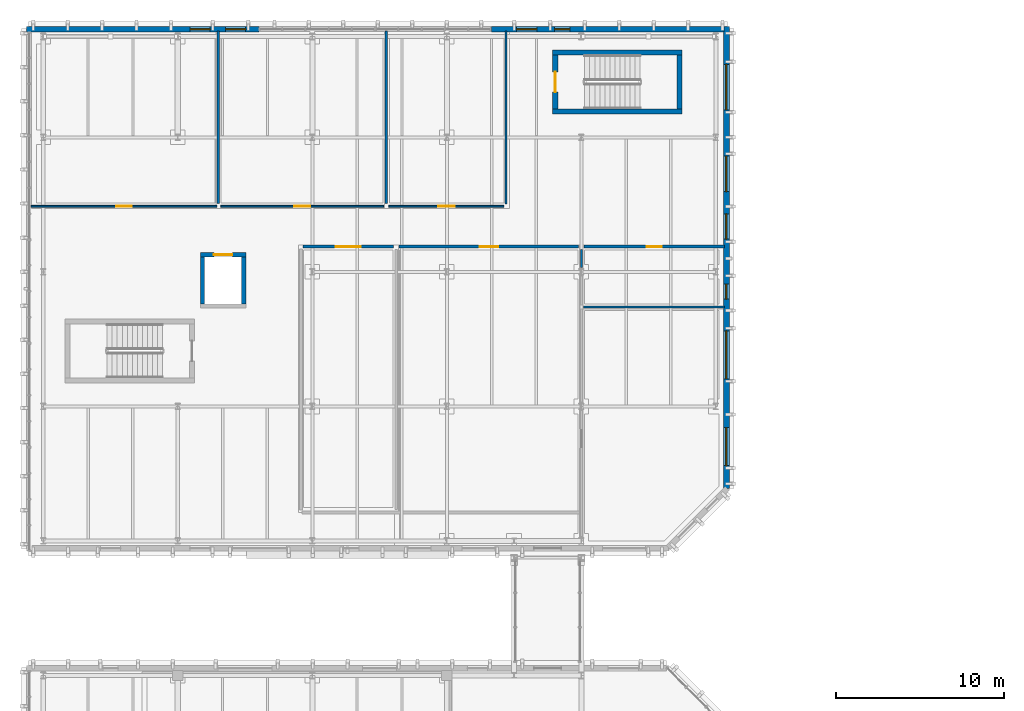
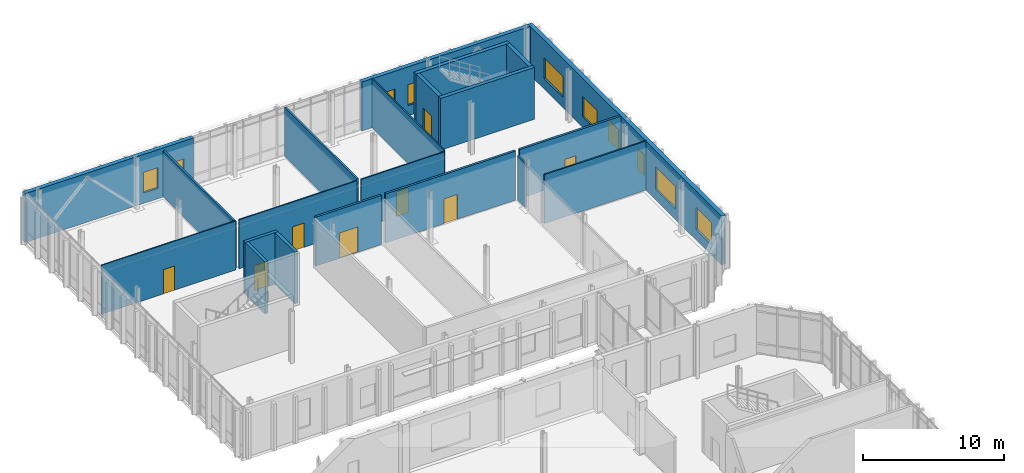
# One storey, part 74 of 100: 21 walls, 10 windows, 8 doors, 18 openings.
"""IFC4 building model written with IfcOpenShell, lengths in metres."""

from ifc_helpers import new_model, si_unit, direction, frame, frame_2d, origin, place, context, subcontext, project, spatial, rectangle, extrude, material, layer, layer_set, type_object, element, fill, save


model = new_model("IFC4")

# Units and contexts
model_context = context("Model", 3, precision=1e-05, world=origin(), true_north=direction((0.0, 1.0)))
body_context = subcontext(model_context, "Body", "Model", "MODEL_VIEW")
ifc_project = project(units=[si_unit("LENGTHUNIT", "METRE"), si_unit("AREAUNIT", "SQUARE_METRE"), si_unit("VOLUMEUNIT", "CUBIC_METRE"), si_unit("PLANEANGLEUNIT", "RADIAN"), si_unit("MASSUNIT", "GRAM", prefix="KILO")], contexts=[model_context])

# Site, building, storey
site_placement = place(None, origin())
site = spatial("IfcSite", under=ifc_project, at=site_placement, CompositionType="ELEMENT")
building_placement = place(site_placement, origin())
building = spatial("IfcBuilding", under=site, at=building_placement, Name="Cymarion Research Institute", CompositionType="ELEMENT")
storey_placement = place(building_placement, frame((0.0, 0.0, 9.300048828125)))
storey = spatial("IfcBuildingStorey", under=building, at=storey_placement, Name="L02", CompositionType="ELEMENT", Elevation=9.300048828125)

# Wall, openings, windows
ifc_material_1 = material(Name="Precast concrete C40/50", Category="concrete")
ifc_layer_1 = layer(ifc_material_1, 0.340087890625)
ifc_layer_set_1 = layer_set([ifc_layer_1], Name="Precast concrete C40/50")
wall_type_1 = type_object("IfcWallType", Name="EXTERIOR WALL EW-PC340 340MM", PredefinedType="SOLIDWALL", material=ifc_layer_set_1)
wall_1_placement = place(storey_placement, frame((47.22998046875, 88.622802734375, 0.0), z_axis=(0.0, 0.0, 1.0), x_axis=(0.0, 1.0, 0.0)))
wall_1 = element("IfcWall", 1, at=wall_1_placement, inside=storey, type_object=wall_type_1, Name="L02 V5 exterior wall EW-PC340 #158", PredefinedType="SOLIDWALL", context=body_context, shape_type="SweptSolid", body=[
    extrude(rectangle(XDim=27.477294921875, YDim=0.340087890625, at=frame_2d((13.73876953125, 0.0))), origin(), (0.0, 0.0, 1.0), 4.25),
])
opening_1_placement = place(wall_1_placement, frame((1.364013671875, 0.0, 0.89990234375)))
opening_1 = element("IfcOpeningElement", 2, at=opening_1_placement, cuts=wall_1, Name="Opening W30", PredefinedType="OPENING", context=body_context, shape_type="SweptSolid", body=[
    extrude(rectangle(XDim=2.25, YDim=1.949951171875, at=frame_2d((1.125, 0.97509765625))), frame((0.0, 0.179931640625, 0.0), z_axis=(0.0, -1.0, 0.0), x_axis=(1.0, 0.0, 0.0)), (0.0, 0.0, 1.0), 0.360107421875),
])
opening_2_placement = place(wall_1_placement, frame((6.52197265625, 0.0, 0.89990234375)))
opening_2 = element("IfcOpeningElement", 3, at=opening_2_placement, cuts=wall_1, Name="Opening W32", PredefinedType="OPENING", context=body_context, shape_type="SweptSolid", body=[
    extrude(rectangle(XDim=2.85009765625, YDim=1.949951171875, at=frame_2d((1.425048828125, 0.97509765625))), frame((0.0, 0.179931640625, 0.0), z_axis=(0.0, -1.0, 0.0), x_axis=(1.0, 0.0, 0.0)), (0.0, 0.0, 1.0), 0.360107421875),
])
opening_3_placement = place(wall_1_placement, frame((11.257080078125, 0.0, 0.89990234375)))
opening_3 = element("IfcOpeningElement", 4, at=opening_3_placement, cuts=wall_1, Name="Opening W24", PredefinedType="OPENING", context=body_context, shape_type="SweptSolid", body=[
    extrude(rectangle(XDim=0.89990234375, YDim=1.800048828125, at=frame_2d((0.449951171875, 0.89990234375))), frame((0.0, 0.179931640625, 0.0), z_axis=(0.0, -1.0, 0.0), x_axis=(1.0, 0.0, 0.0)), (0.0, 0.0, 1.0), 0.360107421875),
])
opening_4_placement = place(wall_1_placement, frame((14.826904296875, 0.0, 0.89990234375)))
opening_4 = element("IfcOpeningElement", 5, at=opening_4_placement, cuts=wall_1, Name="Opening W02", PredefinedType="OPENING", context=body_context, shape_type="SweptSolid", body=[
    extrude(rectangle(XDim=1.5, YDim=1.800048828125, at=frame_2d((0.75, 0.89990234375))), frame((0.0, 0.179931640625, 0.0), z_axis=(0.0, -1.0, 0.0), x_axis=(1.0, 0.0, 0.0)), (0.0, 0.0, 1.0), 0.360107421875),
])
opening_5_placement = place(wall_1_placement, frame((17.656982421875, 0.0, 0.89990234375)))
opening_5 = element("IfcOpeningElement", 6, at=opening_5_placement, cuts=wall_1, Name="Opening W04", PredefinedType="OPENING", context=body_context, shape_type="SweptSolid", body=[
    extrude(rectangle(XDim=2.10009765625, YDim=1.800048828125, at=frame_2d((1.050048828125, 0.89990234375))), frame((0.0, 0.179931640625, 0.0), z_axis=(0.0, -1.0, 0.0), x_axis=(1.0, 0.0, 0.0)), (0.0, 0.0, 1.0), 0.360107421875),
])
opening_6_placement = place(wall_1_placement, frame((22.51708984375, 0.0, 0.89990234375)))
opening_6 = element("IfcOpeningElement", 7, at=opening_6_placement, cuts=wall_1, Name="Opening W06", PredefinedType="OPENING", context=body_context, shape_type="SweptSolid", body=[
    extrude(rectangle(XDim=2.699951171875, YDim=1.800048828125, at=frame_2d((1.35009765625, 0.89990234375))), frame((0.0, 0.179931640625, 0.0), z_axis=(0.0, -1.0, 0.0), x_axis=(1.0, 0.0, 0.0)), (0.0, 0.0, 1.0), 0.360107421875),
])
ifc_material_2 = material(Name="Thermally broken aluminium window with Low-E glazing", Category="aluminium")
window_type_1 = type_object("IfcWindowType", Name="THERMALLY BROKEN ALUMINIUM WINDOW W02 1500X1800", PartitioningType="DOUBLE_PANEL_VERTICAL", PredefinedType="WINDOW", material=ifc_material_2)
window_1_placement = place(opening_4_placement, origin())
window_1 = element("IfcWindow", 8, at=window_1_placement, inside=storey, type_object=window_type_1, Name="L02 V5 facade window W02 #300", OverallHeight=1.800048828125, OverallWidth=1.5, PartitioningType="SINGLE_PANEL", PredefinedType="WINDOW", context=body_context, shape_type="SweptSolid", body=[
    extrude(rectangle(XDim=1.5, YDim=1.800048828125, at=frame_2d((0.75, 0.89990234375))), frame((0.0, 0.030029296875, 0.0), z_axis=(0.0, -1.0, 0.0), x_axis=(1.0, 0.0, 0.0)), (0.0, 0.0, 1.0), 0.06005859375),
])
fill(opening_4, window_1)
window_type_2 = type_object("IfcWindowType", Name="THERMALLY BROKEN ALUMINIUM WINDOW W04 2100X1800", PartitioningType="DOUBLE_PANEL_VERTICAL", PredefinedType="WINDOW", material=ifc_material_2)
window_2_placement = place(opening_5_placement, origin())
window_2 = element("IfcWindow", 9, at=window_2_placement, inside=storey, type_object=window_type_2, Name="L02 V5 facade window W04 #301", OverallHeight=1.800048828125, OverallWidth=2.10009765625, PartitioningType="SINGLE_PANEL", PredefinedType="WINDOW", context=body_context, shape_type="SweptSolid", body=[
    extrude(rectangle(XDim=2.10009765625, YDim=1.800048828125, at=frame_2d((1.050048828125, 0.89990234375))), frame((0.0, 0.030029296875, 0.0), z_axis=(0.0, -1.0, 0.0), x_axis=(1.0, 0.0, 0.0)), (0.0, 0.0, 1.0), 0.06005859375),
])
fill(opening_5, window_2)
window_type_3 = type_object("IfcWindowType", Name="THERMALLY BROKEN ALUMINIUM WINDOW W06 2700X1800", PartitioningType="TRIPLE_PANEL_VERTICAL", PredefinedType="WINDOW", material=ifc_material_2)
window_3_placement = place(opening_6_placement, origin())
window_3 = element("IfcWindow", 10, at=window_3_placement, inside=storey, type_object=window_type_3, Name="L02 V5 facade window W06 #302", OverallHeight=1.800048828125, OverallWidth=2.699951171875, PartitioningType="SINGLE_PANEL", PredefinedType="WINDOW", context=body_context, shape_type="SweptSolid", body=[
    extrude(rectangle(XDim=2.699951171875, YDim=1.800048828125, at=frame_2d((1.35009765625, 0.89990234375))), frame((0.0, 0.030029296875, 0.0), z_axis=(0.0, -1.0, 0.0), x_axis=(1.0, 0.0, 0.0)), (0.0, 0.0, 1.0), 0.06005859375),
])
fill(opening_6, window_3)
window_type_4 = type_object("IfcWindowType", Name="THERMALLY BROKEN ALUMINIUM WINDOW W24 900X1800", PartitioningType="SINGLE_PANEL", PredefinedType="WINDOW", material=ifc_material_2)
window_4_placement = place(opening_3_placement, origin())
window_4 = element("IfcWindow", 11, at=window_4_placement, inside=storey, type_object=window_type_4, Name="L02 V5 facade window W24 #299", OverallHeight=1.800048828125, OverallWidth=0.89990234375, PartitioningType="SINGLE_PANEL", PredefinedType="WINDOW", context=body_context, shape_type="SweptSolid", body=[
    extrude(rectangle(XDim=0.89990234375, YDim=1.800048828125, at=frame_2d((0.449951171875, 0.89990234375))), frame((0.0, 0.030029296875, 0.0), z_axis=(0.0, -1.0, 0.0), x_axis=(1.0, 0.0, 0.0)), (0.0, 0.0, 1.0), 0.06005859375),
])
fill(opening_3, window_4)
window_type_5 = type_object("IfcWindowType", Name="THERMALLY BROKEN ALUMINIUM WINDOW W30 2250X1950", PartitioningType="DOUBLE_PANEL_VERTICAL", PredefinedType="WINDOW", material=ifc_material_2)
window_5_placement = place(opening_1_placement, origin())
window_5 = element("IfcWindow", 12, at=window_5_placement, inside=storey, type_object=window_type_5, Name="L02 V5 facade window W30 #297", OverallHeight=1.949951171875, OverallWidth=2.25, PartitioningType="SINGLE_PANEL", PredefinedType="WINDOW", context=body_context, shape_type="SweptSolid", body=[
    extrude(rectangle(XDim=2.25, YDim=1.949951171875, at=frame_2d((1.125, 0.97509765625))), frame((0.0, 0.030029296875, 0.0), z_axis=(0.0, -1.0, 0.0), x_axis=(1.0, 0.0, 0.0)), (0.0, 0.0, 1.0), 0.06005859375),
])
fill(opening_1, window_5)
window_type_6 = type_object("IfcWindowType", Name="THERMALLY BROKEN ALUMINIUM WINDOW W32 2850X1950", PartitioningType="TRIPLE_PANEL_VERTICAL", PredefinedType="WINDOW", material=ifc_material_2)
window_6_placement = place(opening_2_placement, origin())
window_6 = element("IfcWindow", 13, at=window_6_placement, inside=storey, type_object=window_type_6, Name="L02 V5 facade window W32 #298", OverallHeight=1.949951171875, OverallWidth=2.85009765625, PartitioningType="SINGLE_PANEL", PredefinedType="WINDOW", context=body_context, shape_type="SweptSolid", body=[
    extrude(rectangle(XDim=2.85009765625, YDim=1.949951171875, at=frame_2d((1.425048828125, 0.97509765625))), frame((0.0, 0.030029296875, 0.0), z_axis=(0.0, -1.0, 0.0), x_axis=(1.0, 0.0, 0.0)), (0.0, 0.0, 1.0), 0.06005859375),
])
fill(opening_2, window_6)

wall_2_placement = place(storey_placement, frame((47.077880859375, 115.929931640625, 0.0), z_axis=(0.0, 0.0, 1.0), x_axis=(-1.0, 0.0, 0.0)))
wall_2 = element("IfcWall", 14, at=wall_2_placement, inside=storey, type_object=wall_type_1, Name="L02 V5 facade pier wall EW-PC340 #159", PredefinedType="SOLIDWALL", context=body_context, shape_type="SweptSolid", body=[
    extrude(rectangle(XDim=13.825927734375, YDim=0.340087890625, at=frame_2d((6.9130859375, 0.0))), origin(), (0.0, 0.0, 1.0), 4.25),
])
opening_7_placement = place(wall_2_placement, frame((9.157958984375, 0.0, 0.89990234375)))
opening_7 = element("IfcOpeningElement", 15, at=opening_7_placement, cuts=wall_2, Name="Opening W24", PredefinedType="OPENING", context=body_context, shape_type="SweptSolid", body=[
    extrude(rectangle(XDim=0.89990234375, YDim=1.800048828125, at=frame_2d((0.449951171875, 0.89990234375))), frame((0.0, 0.179931640625, 0.0), z_axis=(0.0, -1.0, 0.0), x_axis=(1.0, 0.0, 0.0)), (0.0, 0.0, 1.0), 0.360107421875),
])
opening_8_placement = place(wall_2_placement, frame((11.117919921875, 0.0, 0.89990234375)))
opening_8 = element("IfcOpeningElement", 16, at=opening_8_placement, cuts=wall_2, Name="Opening W01", PredefinedType="OPENING", context=body_context, shape_type="SweptSolid", body=[
    extrude(rectangle(XDim=1.199951171875, YDim=1.800048828125, at=frame_2d((0.60009765625, 0.89990234375))), frame((0.0, 0.179931640625, 0.0), z_axis=(0.0, -1.0, 0.0), x_axis=(1.0, 0.0, 0.0)), (0.0, 0.0, 1.0), 0.360107421875),
])
window_type_7 = type_object("IfcWindowType", Name="THERMALLY BROKEN ALUMINIUM WINDOW W01 1200X1800", PartitioningType="SINGLE_PANEL", PredefinedType="WINDOW", material=ifc_material_2)
window_7_placement = place(opening_8_placement, origin())
window_7 = element("IfcWindow", 17, at=window_7_placement, inside=storey, type_object=window_type_7, Name="L02 V5 facade window W01 #304", OverallHeight=1.800048828125, OverallWidth=1.199951171875, PartitioningType="SINGLE_PANEL", PredefinedType="WINDOW", context=body_context, shape_type="SweptSolid", body=[
    extrude(rectangle(XDim=1.199951171875, YDim=1.800048828125, at=frame_2d((0.60009765625, 0.89990234375))), frame((0.0, 0.030029296875, 0.0), z_axis=(0.0, -1.0, 0.0), x_axis=(1.0, 0.0, 0.0)), (0.0, 0.0, 1.0), 0.06005859375),
])
fill(opening_8, window_7)
window_8_placement = place(opening_7_placement, origin())
window_8 = element("IfcWindow", 18, at=window_8_placement, inside=storey, type_object=window_type_4, Name="L02 V5 facade window W24 #303", OverallHeight=1.800048828125, OverallWidth=0.89990234375, PartitioningType="SINGLE_PANEL", PredefinedType="WINDOW", context=body_context, shape_type="SweptSolid", body=[
    extrude(rectangle(XDim=0.89990234375, YDim=1.800048828125, at=frame_2d((0.449951171875, 0.89990234375))), frame((0.0, 0.030029296875, 0.0), z_axis=(0.0, -1.0, 0.0), x_axis=(1.0, 0.0, 0.0)), (0.0, 0.0, 1.0), 0.06005859375),
])
fill(opening_7, window_8)

wall_3_placement = place(storey_placement, frame((19.426025390625, 115.929931640625, 0.0), z_axis=(0.0, 0.0, 1.0), x_axis=(-1.0, 0.0, 0.0)))
wall_3 = element("IfcWall", 19, at=wall_3_placement, inside=storey, type_object=wall_type_1, Name="L02 V5 facade pier wall EW-PC340 #160", PredefinedType="SOLIDWALL", context=body_context, shape_type="SweptSolid", body=[
    extrude(rectangle(XDim=13.825927734375, YDim=0.340087890625, at=frame_2d((6.9130859375, 0.0))), origin(), (0.0, 0.0, 1.0), 4.25),
])
opening_9_placement = place(wall_3_placement, frame((0.782958984375, 0.0, 0.89990234375)))
opening_9 = element("IfcOpeningElement", 20, at=opening_9_placement, cuts=wall_3, Name="Opening W01", PredefinedType="OPENING", context=body_context, shape_type="SweptSolid", body=[
    extrude(rectangle(XDim=1.199951171875, YDim=1.800048828125, at=frame_2d((0.60009765625, 0.89990234375))), frame((0.0, 0.179931640625, 0.0), z_axis=(0.0, -1.0, 0.0), x_axis=(1.0, 0.0, 0.0)), (0.0, 0.0, 1.0), 0.360107421875),
])
opening_10_placement = place(wall_3_placement, frame((2.89599609375, 0.0, 0.89990234375)))
opening_10 = element("IfcOpeningElement", 21, at=opening_10_placement, cuts=wall_3, Name="Opening W01", PredefinedType="OPENING", context=body_context, shape_type="SweptSolid", body=[
    extrude(rectangle(XDim=1.199951171875, YDim=1.800048828125, at=frame_2d((0.60009765625, 0.89990234375))), frame((0.0, 0.179931640625, 0.0), z_axis=(0.0, -1.0, 0.0), x_axis=(1.0, 0.0, 0.0)), (0.0, 0.0, 1.0), 0.360107421875),
])
window_9_placement = place(opening_9_placement, origin())
window_9 = element("IfcWindow", 22, at=window_9_placement, inside=storey, type_object=window_type_7, Name="L02 V5 facade window W01 #305", OverallHeight=1.800048828125, OverallWidth=1.199951171875, PartitioningType="SINGLE_PANEL", PredefinedType="WINDOW", context=body_context, shape_type="SweptSolid", body=[
    extrude(rectangle(XDim=1.199951171875, YDim=1.800048828125, at=frame_2d((0.60009765625, 0.89990234375))), frame((0.0, 0.030029296875, 0.0), z_axis=(0.0, -1.0, 0.0), x_axis=(1.0, 0.0, 0.0)), (0.0, 0.0, 1.0), 0.06005859375),
])
fill(opening_9, window_9)
window_10_placement = place(opening_10_placement, origin())
window_10 = element("IfcWindow", 23, at=window_10_placement, inside=storey, type_object=window_type_7, Name="L02 V5 facade window W01 #306", OverallHeight=1.800048828125, OverallWidth=1.199951171875, PartitioningType="SINGLE_PANEL", PredefinedType="WINDOW", context=body_context, shape_type="SweptSolid", body=[
    extrude(rectangle(XDim=1.199951171875, YDim=1.800048828125, at=frame_2d((0.60009765625, 0.89990234375))), frame((0.0, 0.030029296875, 0.0), z_axis=(0.0, -1.0, 0.0), x_axis=(1.0, 0.0, 0.0)), (0.0, 0.0, 1.0), 0.06005859375),
])
fill(opening_10, window_10)

# Walls
ifc_material_3 = material(Name="Gypsum acoustic double-stud partition", Category="gypsum")
ifc_layer_2 = layer(ifc_material_3, 0.14990234375)
ifc_layer_set_2 = layer_set([ifc_layer_2], Name="Gypsum acoustic double-stud partition")
wall_type_2 = type_object("IfcWallType", Name="INTERIOR PARTITION IW-AC150 150MM", PredefinedType="PARTITIONING", material=ifc_layer_set_2)
wall_4_placement = place(storey_placement, frame((17.0, 105.56005859375, 0.0), z_axis=(0.0, 0.0, 1.0), x_axis=(0.0, 1.0, 0.0)))
element("IfcWall", 24, at=wall_4_placement, inside=storey, type_object=wall_type_2, Name="L02 V5 interior partition IW-AC150 #214", PredefinedType="PARTITIONING", context=body_context, shape_type="SweptSolid", body=[
    extrude(rectangle(XDim=10.2548828125, YDim=0.14990234375, at=frame_2d((5.12744140625, 0.0))), origin(), (0.0, 0.0, 1.0), 4.010009765625),
])
wall_5_placement = place(storey_placement, frame((27.0, 105.56005859375, 0.0), z_axis=(0.0, 0.0, 1.0), x_axis=(0.0, 1.0, 0.0)))
element("IfcWall", 25, at=wall_5_placement, inside=storey, type_object=wall_type_2, Name="L02 V5 interior partition IW-AC150 #215", PredefinedType="PARTITIONING", context=body_context, shape_type="SweptSolid", body=[
    extrude(rectangle(XDim=10.2548828125, YDim=0.14990234375, at=frame_2d((5.12744140625, 0.0))), origin(), (0.0, 0.0, 1.0), 4.25),
])
ifc_material_4 = material(Name="Framed acoustic glass laboratory screen", Category="glass")
ifc_layer_3 = layer(ifc_material_4, 0.10009765625)
ifc_layer_set_3 = layer_set([ifc_layer_3], Name="Framed acoustic glass laboratory screen")
wall_type_3 = type_object("IfcWallType", Name="INTERIOR PARTITION IW-GL100 100MM", PredefinedType="PARTITIONING", material=ifc_layer_set_3)
wall_6_placement = place(storey_placement, frame((34.1201171875, 105.5400390625, 0.0), z_axis=(0.0, 0.0, 1.0), x_axis=(0.0, 1.0, 0.0)))
element("IfcWall", 26, at=wall_6_placement, inside=storey, type_object=wall_type_3, Name="L02 V5 interior partition IW-GL100 #216", PredefinedType="PARTITIONING", context=body_context, shape_type="SweptSolid", body=[
    extrude(rectangle(XDim=10.27490234375, YDim=0.10009765625, at=frame_2d((5.137451171875, 0.0))), origin(), (0.0, 0.0, 1.0), 4.25),
])

# Wall, opening, door
wall_7_placement = place(storey_placement, frame((5.885009765625, 105.39990234375, 0.0), z_axis=(0.0, 0.0, 1.0), x_axis=(1.0, 0.0, 0.0)))
wall_7 = element("IfcWall", 27, at=wall_7_placement, inside=storey, type_object=wall_type_3, Name="L02 V5 interior partition IW-GL100 #217", PredefinedType="PARTITIONING", context=body_context, shape_type="SweptSolid", body=[
    extrude(rectangle(XDim=11.034912109375, YDim=0.10009765625, at=frame_2d((5.517578125, 0.0))), origin(), (0.0, 0.0, 1.0), 4.25),
])
opening_11_placement = place(wall_7_placement, frame((5.06689453125, 0.0, 0.0)))
opening_11 = element("IfcOpeningElement", 28, at=opening_11_placement, cuts=wall_7, Name="Opening D-L02-138", PredefinedType="OPENING", context=body_context, shape_type="SweptSolid", body=[
    extrude(rectangle(XDim=0.89990234375, YDim=2.10009765625, at=frame_2d((0.449951171875, 1.050048828125))), frame((0.0, 0.06005859375, 0.0), z_axis=(0.0, -1.0, 0.0), x_axis=(1.0, 0.0, 0.0)), (0.0, 0.0, 1.0), 0.1201171875),
])
ifc_material_5 = material(Name="Flush acoustic timber/steel door assembly", Category="steel")
door_type_1 = type_object("IfcDoorType", Name="RESEARCH WRITE-UP OFFICE DOOR DT-OF090 900X2100", OperationType="NOTDEFINED", PredefinedType="DOOR", material=ifc_material_5)
door_1_placement = place(opening_11_placement, origin())
door_1 = element("IfcDoor", 29, at=door_1_placement, inside=storey, type_object=door_type_1, Name="L02 Faculty Office W door D-L02-138", OperationType="SINGLE_SWING_LEFT", OverallHeight=2.10009765625, OverallWidth=0.89990234375, PredefinedType="DOOR", context=body_context, shape_type="SweptSolid", body=[
    extrude(rectangle(XDim=0.89990234375, YDim=2.10009765625, at=frame_2d((0.449951171875, 1.050048828125))), frame((0.0, 0.02490234375, 0.0), z_axis=(0.0, -1.0, 0.0), x_axis=(1.0, 0.0, 0.0)), (0.0, 0.0, 1.0), 0.050048828125),
])
fill(opening_11, door_1)

wall_8_placement = place(storey_placement, frame((17.159912109375, 105.39990234375, 0.0), z_axis=(0.0, 0.0, 1.0), x_axis=(1.0, 0.0, 0.0)))
wall_8 = element("IfcWall", 30, at=wall_8_placement, inside=storey, type_object=wall_type_3, Name="L02 V5 interior partition IW-GL100 #218", PredefinedType="PARTITIONING", context=body_context, shape_type="SweptSolid", body=[
    extrude(rectangle(XDim=9.68017578125, YDim=0.10009765625, at=frame_2d((4.840087890625, 0.0))), origin(), (0.0, 0.0, 1.0), 4.25),
])
opening_12_placement = place(wall_8_placement, frame((4.364990234375, 0.0, 0.0)))
opening_12 = element("IfcOpeningElement", 31, at=opening_12_placement, cuts=wall_8, Name="Opening D-L02-139", PredefinedType="OPENING", context=body_context, shape_type="SweptSolid", body=[
    extrude(rectangle(XDim=0.949951171875, YDim=2.10009765625, at=frame_2d((0.47509765625, 1.050048828125))), frame((0.0, 0.06005859375, 0.0), z_axis=(0.0, -1.0, 0.0), x_axis=(1.0, 0.0, 0.0)), (0.0, 0.0, 1.0), 0.1201171875),
])
door_type_2 = type_object("IfcDoorType", Name="FACULTY STUDY DOOR DT-OF095 950X2100", OperationType="NOTDEFINED", PredefinedType="DOOR", material=ifc_material_5)
door_2_placement = place(opening_12_placement, origin())
door_2 = element("IfcDoor", 32, at=door_2_placement, inside=storey, type_object=door_type_2, Name="L02 Postdoc Write-Up door D-L02-139", OperationType="SINGLE_SWING_RIGHT", OverallHeight=2.10009765625, OverallWidth=0.949951171875, PredefinedType="DOOR", context=body_context, shape_type="SweptSolid", body=[
    extrude(rectangle(XDim=0.949951171875, YDim=2.10009765625, at=frame_2d((0.47509765625, 1.050048828125))), frame((0.0, 0.02490234375, 0.0), z_axis=(0.0, -1.0, 0.0), x_axis=(1.0, 0.0, 0.0)), (0.0, 0.0, 1.0), 0.050048828125),
])
fill(opening_12, door_2)

wall_9_placement = place(storey_placement, frame((27.159912109375, 105.39990234375, 0.0), z_axis=(0.0, 0.0, 1.0), x_axis=(1.0, 0.0, 0.0)))
wall_9 = element("IfcWall", 33, at=wall_9_placement, inside=storey, type_object=wall_type_3, Name="L02 V5 interior partition IW-GL100 #219", PredefinedType="PARTITIONING", context=body_context, shape_type="SweptSolid", body=[
    extrude(rectangle(XDim=6.840087890625, YDim=0.10009765625, at=frame_2d((3.419921875, 0.0))), origin(), (0.0, 0.0, 1.0), 4.25),
])
opening_13_placement = place(wall_9_placement, frame((2.919921875, 0.0, 0.0)))
opening_13 = element("IfcOpeningElement", 34, at=opening_13_placement, cuts=wall_9, Name="Opening D-L02-140", PredefinedType="OPENING", context=body_context, shape_type="SweptSolid", body=[
    extrude(rectangle(XDim=1.0, YDim=2.14990234375, at=frame_2d((0.5, 1.074951171875))), frame((0.0, 0.06005859375, 0.0), z_axis=(0.0, -1.0, 0.0), x_axis=(1.0, 0.0, 0.0)), (0.0, 0.0, 1.0), 0.1201171875),
])
door_type_3 = type_object("IfcDoorType", Name="LABORATORY SINGLE LEAF DOOR DT-LB100 1000X2150", OperationType="NOTDEFINED", PredefinedType="DOOR", material=ifc_material_5)
door_3_placement = place(opening_13_placement, origin())
door_3 = element("IfcDoor", 35, at=door_3_placement, inside=storey, type_object=door_type_3, Name="L02 AI Visualization Lab door D-L02-140", OperationType="SINGLE_SWING_LEFT", OverallHeight=2.14990234375, OverallWidth=1.0, PredefinedType="DOOR", context=body_context, shape_type="SweptSolid", body=[
    extrude(rectangle(XDim=1.0, YDim=2.14990234375, at=frame_2d((0.5, 1.074951171875))), frame((0.0, 0.02490234375, 0.0), z_axis=(0.0, -1.0, 0.0), x_axis=(1.0, 0.0, 0.0)), (0.0, 0.0, 1.0), 0.050048828125),
])
fill(opening_13, door_3)

ifc_material_6 = material(Name="Moisture-resistant laboratory partition", Category="gypsum")
ifc_layer_4 = layer(ifc_material_6, 0.179931640625)
ifc_layer_set_4 = layer_set([ifc_layer_4], Name="Moisture-resistant laboratory partition")
wall_type_4 = type_object("IfcWallType", Name="INTERIOR PARTITION IW-LB180 180MM", PredefinedType="PARTITIONING", material=ifc_layer_set_4)
wall_10_placement = place(storey_placement, frame((22.050048828125, 103.0, 0.0), z_axis=(0.0, 0.0, 1.0), x_axis=(1.0, 0.0, 0.0)))
wall_10 = element("IfcWall", 36, at=wall_10_placement, inside=storey, type_object=wall_type_4, Name="L02 V5 interior partition IW-LB180 #211", PredefinedType="PARTITIONING", context=body_context, shape_type="SweptSolid", body=[
    extrude(rectangle(XDim=5.389892578125, YDim=0.179931640625, at=frame_2d((2.69482421875, 0.0))), origin(), (0.0, 0.0, 1.0), 4.25),
])
opening_14_placement = place(wall_10_placement, frame((1.945068359375, 0.0, 0.0)))
opening_14 = element("IfcOpeningElement", 37, at=opening_14_placement, cuts=wall_10, Name="Opening D-L02-135", PredefinedType="OPENING", context=body_context, shape_type="SweptSolid", body=[
    extrude(rectangle(XDim=1.5, YDim=2.199951171875, at=frame_2d((0.75, 1.10009765625))), frame((0.0, 0.099853515625, 0.0), z_axis=(0.0, -1.0, 0.0), x_axis=(1.0, 0.0, 0.0)), (0.0, 0.0, 1.0), 0.199951171875),
])
door_type_4 = type_object("IfcDoorType", Name="LABORATORY EQUIPMENT DOUBLE DOOR DT-LB150 1500X2200", OperationType="DOUBLE_DOOR_SINGLE_SWING", PredefinedType="DOOR", material=ifc_material_5)
door_4_placement = place(opening_14_placement, origin())
door_4 = element("IfcDoor", 38, at=door_4_placement, inside=storey, type_object=door_type_4, Name="L02 Dry Lab 1 door D-L02-135", OperationType="DOUBLE_DOOR_SINGLE_SWING", OverallHeight=2.199951171875, OverallWidth=1.5, PredefinedType="DOOR", context=body_context, shape_type="SweptSolid", body=[
    extrude(rectangle(XDim=1.5, YDim=2.199951171875, at=frame_2d((0.75, 1.10009765625))), frame((0.0, 0.02490234375, 0.0), z_axis=(0.0, -1.0, 0.0), x_axis=(1.0, 0.0, 0.0)), (0.0, 0.0, 1.0), 0.050048828125),
])
fill(opening_14, door_4)

wall_11_placement = place(storey_placement, frame((27.760009765625, 103.0, 0.0), z_axis=(0.0, 0.0, 1.0), x_axis=(1.0, 0.0, 0.0)))
wall_11 = element("IfcWall", 39, at=wall_11_placement, inside=storey, type_object=wall_type_4, Name="L02 V5 interior partition IW-LB180 #212", PredefinedType="PARTITIONING", context=body_context, shape_type="SweptSolid", body=[
    extrude(rectangle(XDim=10.679931640625, YDim=0.179931640625, at=frame_2d((5.33984375, 0.0))), origin(), (0.0, 0.0, 1.0), 4.25),
])
opening_15_placement = place(wall_11_placement, frame((4.7900390625, 0.0, 0.0)))
opening_15 = element("IfcOpeningElement", 40, at=opening_15_placement, cuts=wall_11, Name="Opening D-L02-136", PredefinedType="OPENING", context=body_context, shape_type="SweptSolid", body=[
    extrude(rectangle(XDim=1.10009765625, YDim=2.14990234375, at=frame_2d((0.550048828125, 1.074951171875))), frame((0.0, 0.099853515625, 0.0), z_axis=(0.0, -1.0, 0.0), x_axis=(1.0, 0.0, 0.0)), (0.0, 0.0, 1.0), 0.199951171875),
])
door_type_5 = type_object("IfcDoorType", Name="LABORATORY WIDE SINGLE DOOR DT-LB110 1100X2150", OperationType="NOTDEFINED", PredefinedType="DOOR", material=ifc_material_5)
door_5_placement = place(opening_15_placement, origin())
door_5 = element("IfcDoor", 41, at=door_5_placement, inside=storey, type_object=door_type_5, Name="L02 Server Cluster door D-L02-136", OperationType="SINGLE_SWING_LEFT", OverallHeight=2.14990234375, OverallWidth=1.10009765625, PredefinedType="DOOR", context=body_context, shape_type="SweptSolid", body=[
    extrude(rectangle(XDim=1.10009765625, YDim=2.14990234375, at=frame_2d((0.550048828125, 1.074951171875))), frame((0.0, 0.02490234375, 0.0), z_axis=(0.0, -1.0, 0.0), x_axis=(1.0, 0.0, 0.0)), (0.0, 0.0, 1.0), 0.050048828125),
])
fill(opening_15, door_5)

wall_12_placement = place(storey_placement, frame((38.760009765625, 103.0, 0.0), z_axis=(0.0, 0.0, 1.0), x_axis=(1.0, 0.0, 0.0)))
wall_12 = element("IfcWall", 42, at=wall_12_placement, inside=storey, type_object=wall_type_4, Name="L02 V5 interior partition IW-LB180 #213", PredefinedType="PARTITIONING", context=body_context, shape_type="SweptSolid", body=[
    extrude(rectangle(XDim=8.35498046875, YDim=0.179931640625, at=frame_2d((4.177490234375, 0.0))), origin(), (0.0, 0.0, 1.0), 4.25),
])
opening_16_placement = place(wall_12_placement, frame((3.72802734375, 0.0, 0.0)))
opening_16 = element("IfcOpeningElement", 43, at=opening_16_placement, cuts=wall_12, Name="Opening D-L02-137", PredefinedType="OPENING", context=body_context, shape_type="SweptSolid", body=[
    extrude(rectangle(XDim=0.89990234375, YDim=2.10009765625, at=frame_2d((0.449951171875, 1.050048828125))), frame((0.0, 0.099853515625, 0.0), z_axis=(0.0, -1.0, 0.0), x_axis=(1.0, 0.0, 0.0)), (0.0, 0.0, 1.0), 0.199951171875),
])
door_type_6 = type_object("IfcDoorType", Name="ACCESSIBLE RESTROOM DOOR DT-WC090 900X2100", OperationType="NOTDEFINED", PredefinedType="DOOR", material=ifc_material_5)
door_6_placement = place(opening_16_placement, origin())
door_6 = element("IfcDoor", 44, at=door_6_placement, inside=storey, type_object=door_type_6, Name="L02 Restroom door D-L02-137", OperationType="SINGLE_SWING_RIGHT", OverallHeight=2.10009765625, OverallWidth=0.89990234375, PredefinedType="DOOR", context=body_context, shape_type="SweptSolid", body=[
    extrude(rectangle(XDim=0.89990234375, YDim=2.10009765625, at=frame_2d((0.449951171875, 1.050048828125))), frame((0.0, 0.02490234375, 0.0), z_axis=(0.0, -1.0, 0.0), x_axis=(1.0, 0.0, 0.0)), (0.0, 0.0, 1.0), 0.050048828125),
])
fill(opening_16, door_6)

# Walls
ifc_material_7 = material(Name="Service riser shaft wall", Category="gypsum")
ifc_layer_5 = layer(ifc_material_7, 0.1201171875)
ifc_layer_set_5 = layer_set([ifc_layer_5], Name="Service riser shaft wall")
wall_type_5 = type_object("IfcWallType", Name="INTERIOR PARTITION IW-SH120 120MM", PredefinedType="PARTITIONING", material=ifc_layer_set_5)
wall_13_placement = place(storey_placement, frame((38.739990234375, 99.39990234375, 0.0), z_axis=(0.0, 0.0, 1.0), x_axis=(1.0, 0.0, 0.0)))
element("IfcWall", 45, at=wall_13_placement, inside=storey, type_object=wall_type_5, Name="L02 V5 interior partition IW-SH120 #206", PredefinedType="PARTITIONING", context=body_context, shape_type="SweptSolid", body=[
    extrude(rectangle(XDim=8.375, YDim=0.1201171875, at=frame_2d((4.1875, 0.0))), origin(), (0.0, 0.0, 1.0), 4.25),
])
wall_14_placement = place(storey_placement, frame((38.60009765625, 101.75, 0.0), z_axis=(0.0, 0.0, 1.0), x_axis=(0.0, 1.0, 0.0)))
element("IfcWall", 46, at=wall_14_placement, inside=storey, type_object=wall_type_5, Name="L02 V5 interior partition IW-SH120 #210", PredefinedType="PARTITIONING", context=body_context, shape_type="SweptSolid", body=[
    extrude(rectangle(XDim=1.090087890625, YDim=0.1201171875, at=frame_2d((0.544921875, 0.0))), origin(), (0.0, 0.0, 1.0), 3.849853515625),
])

# Wall, opening, door
ifc_material_8 = material(Name="Concrete C40/50", Category="concrete")
ifc_layer_6 = layer(ifc_material_8, 0.25)
ifc_layer_set_6 = layer_set([ifc_layer_6], Name="Concrete C40/50")
wall_type_6 = type_object("IfcWallType", Name="REINFORCED CONCRETE CORE WALL CW-SH250 250MM", PredefinedType="SHEAR", material=ifc_layer_set_6)
wall_15_placement = place(storey_placement, frame((18.64990234375, 102.52490234375, 0.0), z_axis=(0.0, 0.0, 1.0), x_axis=(-1.0, 0.0, 0.0)))
wall_15 = element("IfcWall", 47, at=wall_15_placement, inside=storey, type_object=wall_type_6, Name="L02 LSH-LP5-L02 north core wall", PredefinedType="SHEAR", context=body_context, shape_type="SweptSolid", body=[
    extrude(rectangle(XDim=2.699951171875, YDim=0.25, at=frame_2d((1.35009765625, 0.0))), origin(), (0.0, 0.0, 1.0), 4.5),
])
opening_17_placement = place(wall_15_placement, frame((0.800048828125, 0.0, 0.0)))
opening_17 = element("IfcOpeningElement", 48, at=opening_17_placement, cuts=wall_15, Name="Opening LD-LP5-L02", PredefinedType="OPENING", context=body_context, shape_type="SweptSolid", body=[
    extrude(rectangle(XDim=1.10009765625, YDim=2.14990234375, at=frame_2d((0.550048828125, 1.074951171875))), frame((0.0, 0.135009765625, 0.0), z_axis=(0.0, -1.0, 0.0), x_axis=(1.0, 0.0, 0.0)), (0.0, 0.0, 1.0), 0.27001953125),
])
ifc_material_9 = material(Name="Fire-rated insulated steel door assembly", Category="steel")
door_type_7 = type_object("IfcDoorType", Name="SLIDING LIFT LANDING DOOR DT-LD110 1100X2150", OperationType="DOUBLE_DOOR_SLIDING", PredefinedType="DOOR", material=ifc_material_9)
door_7_placement = place(opening_17_placement, origin())
door_7 = element("IfcDoor", 49, at=door_7_placement, inside=storey, type_object=door_type_7, Name="Lift LP5 landing door L02", OperationType="DOUBLE_DOOR_SLIDING", OverallHeight=2.14990234375, OverallWidth=1.10009765625, PredefinedType="DOOR", context=body_context, shape_type="SweptSolid", body=[
    extrude(rectangle(XDim=1.10009765625, YDim=2.14990234375, at=frame_2d((0.550048828125, 1.074951171875))), frame((0.0, 0.02490234375, 0.0), z_axis=(0.0, -1.0, 0.0), x_axis=(1.0, 0.0, 0.0)), (0.0, 0.0, 1.0), 0.050048828125),
])
fill(opening_17, door_7)

# Walls
for number, where, z_axis, x_axis, name in (
    (50, (16.074951171875, 102.39990234375, 0.0), (0.0, 0.0, 1.0), (0.0, -1.0, 0.0), "L02 LSH-LP5-L02 west core wall"),
    (51, (18.52490234375, 99.60009765625, 0.0), (0.0, 0.0, 1.0), (0.0, 1.0, 0.0), "L02 LSH-LP5-L02 east core wall"),
):
    element("IfcWall", number, at=place(storey_placement, frame(where, z_axis=z_axis, x_axis=x_axis)), inside=storey, type_object=wall_type_6, Name=name, PredefinedType="SHEAR", context=body_context, shape_type="SweptSolid", body=[
        extrude(rectangle(XDim=2.7998046875, YDim=0.25, at=frame_2d((1.39990234375, 0.0))), origin(), (0.0, 0.0, 1.0), 4.5),
    ])
ifc_layer_7 = layer(ifc_material_8, 0.300048828125)
ifc_layer_set_7 = layer_set([ifc_layer_7], Name="Concrete C40/50")
wall_type_7 = type_object("IfcWallType", Name="REINFORCED CONCRETE CORE WALL CW-SH300 300MM", PredefinedType="SHEAR", material=ifc_layer_set_7)
for number, where, z_axis, x_axis, name in (
    (52, (36.89990234375, 111.050048828125, 0.0), (0.0, 0.0, 1.0), (1.0, 0.0, 0.0), "L02 SHW-C10-L02 south core wall"),
    (53, (44.60009765625, 114.550048828125, 0.0), (0.0, 0.0, 1.0), (-1.0, 0.0, 0.0), "L02 SHW-C10-L02 north core wall"),
):
    element("IfcWall", number, at=place(storey_placement, frame(where, z_axis=z_axis, x_axis=x_axis)), inside=storey, type_object=wall_type_7, Name=name, PredefinedType="SHEAR", context=body_context, shape_type="SweptSolid", body=[
        extrude(rectangle(XDim=7.7001953125, YDim=0.300048828125, at=frame_2d((3.85009765625, 0.0))), origin(), (0.0, 0.0, 1.0), 4.5),
    ])

# Wall, opening, door
wall_16_placement = place(storey_placement, frame((37.050048828125, 114.39990234375, 0.0), z_axis=(0.0, 0.0, 1.0), x_axis=(0.0, -1.0, 0.0)))
wall_16 = element("IfcWall", 54, at=wall_16_placement, inside=storey, type_object=wall_type_7, Name="L02 SHW-C10-L02 west core wall", PredefinedType="SHEAR", context=body_context, shape_type="SweptSolid", body=[
    extrude(rectangle(XDim=3.199951171875, YDim=0.300048828125, at=frame_2d((1.60009765625, 0.0))), origin(), (0.0, 0.0, 1.0), 4.5),
])
opening_18_placement = place(wall_16_placement, frame((1.0, 0.0, 0.0)))
opening_18 = element("IfcOpeningElement", 55, at=opening_18_placement, cuts=wall_16, Name="Opening FD-L02-ST10", PredefinedType="OPENING", context=body_context, shape_type="SweptSolid", body=[
    extrude(rectangle(XDim=1.199951171875, YDim=2.14990234375, at=frame_2d((0.60009765625, 1.074951171875))), frame((0.0, 0.159912109375, 0.0), z_axis=(0.0, -1.0, 0.0), x_axis=(1.0, 0.0, 0.0)), (0.0, 0.0, 1.0), 0.320068359375),
])
door_type_8 = type_object("IfcDoorType", Name="SMOKE PROOF STAIR FIRE DOOR DT-ST120 1200X2150", OperationType="NOTDEFINED", PredefinedType="DOOR", material=ifc_material_9)
door_8_placement = place(opening_18_placement, origin())
door_8 = element("IfcDoor", 56, at=door_8_placement, inside=storey, type_object=door_type_8, Name="L02 ST10 smoke-proof stair door FD-L02-ST10", OperationType="SINGLE_SWING_LEFT", OverallHeight=2.14990234375, OverallWidth=1.199951171875, PredefinedType="DOOR", context=body_context, shape_type="SweptSolid", body=[
    extrude(rectangle(XDim=1.199951171875, YDim=2.14990234375, at=frame_2d((0.60009765625, 1.074951171875))), frame((0.0, 0.02490234375, 0.0), z_axis=(0.0, -1.0, 0.0), x_axis=(1.0, 0.0, 0.0)), (0.0, 0.0, 1.0), 0.050048828125),
])
fill(opening_18, door_8)

# Wall
wall_17_placement = place(storey_placement, frame((44.449951171875, 111.199951171875, 0.0), z_axis=(0.0, 0.0, 1.0), x_axis=(0.0, 1.0, 0.0)))
element("IfcWall", 57, at=wall_17_placement, inside=storey, type_object=wall_type_7, Name="L02 SHW-C10-L02 east core wall", PredefinedType="SHEAR", context=body_context, shape_type="SweptSolid", body=[
    extrude(rectangle(XDim=3.199951171875, YDim=0.300048828125, at=frame_2d((1.60009765625, 0.0))), origin(), (0.0, 0.0, 1.0), 4.5),
])

save(model, "model.ifc")
